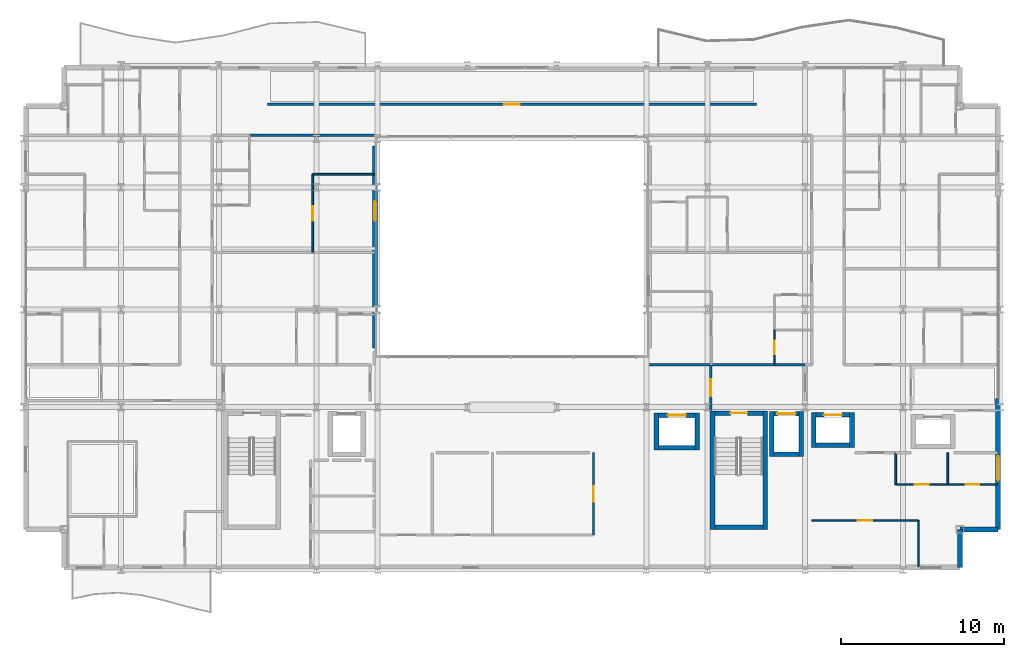
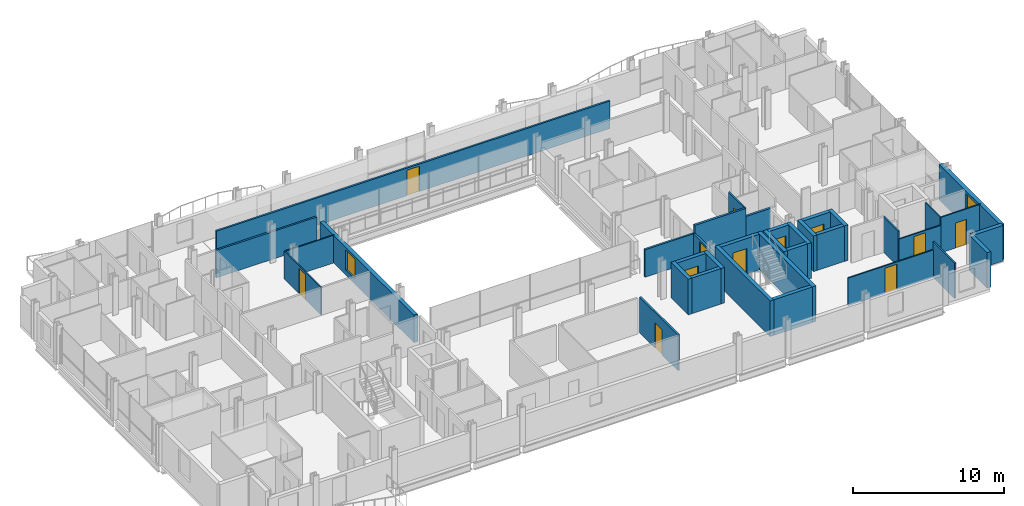
# One storey, part 34 of 41: 36 walls, 12 doors, 2 windows, 14 openings.
"""IFC4 building model written with IfcOpenShell, lengths in metres."""

from ifc_helpers import new_model, si_unit, direction, frame, frame_2d, origin, place, context, subcontext, project, spatial, rectangle, extrude, material, layer, layer_set, type_object, element, fill, save


model = new_model("IFC4")

# Units and contexts
model_context = context("Model", 3, precision=1e-05, world=origin(), true_north=direction((0.0, 1.0)))
body_context = subcontext(model_context, "Body", "Model", "MODEL_VIEW")
ifc_project = project(units=[si_unit("LENGTHUNIT", "METRE"), si_unit("AREAUNIT", "SQUARE_METRE"), si_unit("VOLUMEUNIT", "CUBIC_METRE"), si_unit("PLANEANGLEUNIT", "RADIAN"), si_unit("MASSUNIT", "GRAM", prefix="KILO")], contexts=[model_context])

# Site, building, storey
site_placement = place(None, origin())
site = spatial("IfcSite", under=ifc_project, at=site_placement, CompositionType="ELEMENT")
building_placement = place(site_placement, origin())
building = spatial("IfcBuilding", under=site, at=building_placement, Name="Brevholm Reach", CompositionType="ELEMENT")
storey_placement = place(building_placement, frame((0.0, 0.0, 55.89990234375)))
storey = spatial("IfcBuildingStorey", under=building, at=storey_placement, Name="L15", CompositionType="ELEMENT", Elevation=55.89990234375)

# Walls
ifc_material_1 = material(Name="Concrete C50/60", Category="concrete")
ifc_layer_1 = layer(ifc_material_1, 0.280029296875)
ifc_layer_set_1 = layer_set([ifc_layer_1], Name="Concrete C50/60")
wall_type_1 = type_object("IfcWallType", Name="WAL-COR-280", PredefinedType="SHEAR", material=ifc_layer_set_1)
for number, where, z_axis, x_axis, name in (
    (1, (42.31005859375, 2.5, 0.0), (0.0, 0.0, 1.0), (0.0, 1.0, 0.0), "L15 Escape Stair ST-2 Core Wall W"),
    (2, (45.5400390625, 2.5, 0.0), (0.0, 0.0, 1.0), (0.0, 1.0, 0.0), "L15 Escape Stair ST-2 Core Wall E"),
):
    element("IfcWall", number, at=place(storey_placement, frame(where, z_axis=z_axis, x_axis=x_axis)), inside=storey, type_object=wall_type_1, Name=name, PredefinedType="SHEAR", context=body_context, shape_type="SweptSolid", body=[
        extrude(rectangle(XDim=7.280029296875, YDim=0.280029296875, at=frame_2d((3.64013671875, 0.0))), origin(), (0.0, 0.0, 1.0), 2.8701171875),
    ])
wall_1_placement = place(storey_placement, frame((42.449951171875, 2.639892578125, 0.0), z_axis=(0.0, 0.0, 1.0), x_axis=(1.0, 0.0, 0.0)))
element("IfcWall", 3, at=wall_1_placement, inside=storey, type_object=wall_type_1, Name="L15 Escape Stair ST-2 Core Wall S", PredefinedType="SHEAR", context=body_context, shape_type="SweptSolid", body=[
    extrude(rectangle(XDim=2.949951171875, YDim=0.280029296875, at=frame_2d((1.47509765625, 0.0))), origin(), (0.0, 0.0, 1.0), 2.8701171875),
])

# Wall, opening, door
wall_2_placement = place(storey_placement, frame((45.39990234375, 9.639892578125, 0.0), z_axis=(0.0, 0.0, 1.0), x_axis=(-1.0, 0.0, 0.0)))
wall_2 = element("IfcWall", 4, at=wall_2_placement, inside=storey, type_object=wall_type_1, Name="L15 Escape Stair ST-2 Core Wall N", PredefinedType="SHEAR", context=body_context, shape_type="SweptSolid", body=[
    extrude(rectangle(XDim=2.949951171875, YDim=0.280029296875, at=frame_2d((1.47509765625, 0.0))), origin(), (0.0, 0.0, 1.0), 2.8701171875),
])
opening_1_placement = place(wall_2_placement, frame((0.949951171875, 0.0, 0.0)))
opening_1 = element("IfcOpeningElement", 5, at=opening_1_placement, cuts=wall_2, Name="Opening SD-ST-2", PredefinedType="OPENING", context=body_context, shape_type="SweptSolid", body=[
    extrude(rectangle(XDim=1.050048828125, YDim=2.06005859375, at=frame_2d((0.52490234375, 1.030029296875))), frame((0.0, 0.14990234375, 0.0), z_axis=(0.0, -1.0, 0.0), x_axis=(1.0, 0.0, 0.0)), (0.0, 0.0, 1.0), 0.300048828125),
])
ifc_material_2 = material(Name="Hardwood-Lipped Steel-Core Fire and Smoke Door", Category="steel")
door_type_1 = type_object("IfcDoorType", Name="DOR-INT-FD60S", OperationType="NOTDEFINED", PredefinedType="DOOR", material=ifc_material_2)
door_1_placement = place(opening_1_placement, origin())
door_1 = element("IfcDoor", 6, at=door_1_placement, inside=storey, type_object=door_type_1, Name="L15 Protected Stair ST-2 Lobby Door", OperationType="SINGLE_SWING_RIGHT", OverallHeight=2.06005859375, OverallWidth=1.050048828125, PredefinedType="DOOR", context=body_context, shape_type="SweptSolid", body=[
    extrude(rectangle(XDim=1.050048828125, YDim=2.06005859375, at=frame_2d((0.52490234375, 1.030029296875))), frame((0.0, 0.02490234375, 0.0), z_axis=(0.0, -1.0, 0.0), x_axis=(1.0, 0.0, 0.0)), (0.0, 0.0, 1.0), 0.050048828125),
])
fill(opening_1, door_1)

# Walls
for number, where, z_axis, x_axis, name in (
    (7, (45.949951171875, 6.9599609375, 0.0), (0.0, 0.0, 1.0), (0.0, 1.0, 0.0), "L15 Lift FFL-2 Shaft Wall W"),
    (8, (47.75, 6.9599609375, 0.0), (0.0, 0.0, 1.0), (0.0, 1.0, 0.0), "L15 Lift FFL-2 Shaft Wall E"),
):
    element("IfcWall", number, at=place(storey_placement, frame(where, z_axis=z_axis, x_axis=x_axis)), inside=storey, type_object=wall_type_1, Name=name, PredefinedType="SHEAR", context=body_context, shape_type="SweptSolid", body=[
        extrude(rectangle(XDim=2.780029296875, YDim=0.280029296875, at=frame_2d((1.39013671875, 0.0))), origin(), (0.0, 0.0, 1.0), 2.8701171875),
    ])
wall_3_placement = place(storey_placement, frame((46.090087890625, 7.10009765625, 0.0), z_axis=(0.0, 0.0, 1.0), x_axis=(1.0, 0.0, 0.0)))
element("IfcWall", 9, at=wall_3_placement, inside=storey, type_object=wall_type_1, Name="L15 Lift FFL-2 Shaft Wall S", PredefinedType="SHEAR", context=body_context, shape_type="SweptSolid", body=[
    extrude(rectangle(XDim=1.52001953125, YDim=0.280029296875, at=frame_2d((0.760009765625, 0.0))), origin(), (0.0, 0.0, 1.0), 2.8701171875),
])

# Wall, opening, door
wall_4_placement = place(storey_placement, frame((46.090087890625, 9.60009765625, 0.0), z_axis=(0.0, 0.0, 1.0), x_axis=(1.0, 0.0, 0.0)))
wall_4 = element("IfcWall", 10, at=wall_4_placement, inside=storey, type_object=wall_type_1, Name="L15 Lift FFL-2 Shaft Wall N", PredefinedType="SHEAR", context=body_context, shape_type="SweptSolid", body=[
    extrude(rectangle(XDim=1.52001953125, YDim=0.280029296875, at=frame_2d((0.760009765625, 0.0))), origin(), (0.0, 0.0, 1.0), 2.8701171875),
])
opening_2_placement = place(wall_4_placement, frame((0.2099609375, 0.0, 0.0)))
opening_2 = element("IfcOpeningElement", 11, at=opening_2_placement, cuts=wall_4, Name="Opening LD-FFL-2", PredefinedType="OPENING", context=body_context, shape_type="SweptSolid", body=[
    extrude(rectangle(XDim=1.10009765625, YDim=2.06005859375, at=frame_2d((0.550048828125, 1.030029296875))), frame((0.0, 0.14990234375, 0.0), z_axis=(0.0, -1.0, 0.0), x_axis=(1.0, 0.0, 0.0)), (0.0, 0.0, 1.0), 0.300048828125),
])
ifc_material_3 = material(Name="Brushed Stainless Steel Fire-Rated Sliding Lift Door", Category="steel")
door_type_2 = type_object("IfcDoorType", Name="DOR-LFT-1100", OperationType="NOTDEFINED", PredefinedType="DOOR", material=ifc_material_3)
door_2_placement = place(opening_2_placement, origin())
door_2 = element("IfcDoor", 12, at=door_2_placement, inside=storey, type_object=door_type_2, Name="L15 Lift FFL-2 Sliding Landing Door", OperationType="SLIDING_TO_RIGHT", OverallHeight=2.06005859375, OverallWidth=1.10009765625, PredefinedType="DOOR", context=body_context, shape_type="SweptSolid", body=[
    extrude(rectangle(XDim=1.10009765625, YDim=2.06005859375, at=frame_2d((0.550048828125, 1.030029296875))), frame((0.0, 0.02490234375, 0.0), z_axis=(0.0, -1.0, 0.0), x_axis=(1.0, 0.0, 0.0)), (0.0, 0.0, 1.0), 0.050048828125),
])
fill(opening_2, door_2)

# Walls
for number, where, z_axis, x_axis, name in (
    (13, (48.52490234375, 7.534912109375, 0.0), (0.0, 0.0, 1.0), (0.0, 1.0, 0.0), "L15 Lift PL-L1 Shaft Wall W"),
    (14, (50.875, 7.534912109375, 0.0), (0.0, 0.0, 1.0), (0.0, 1.0, 0.0), "L15 Lift PL-L1 Shaft Wall E"),
):
    element("IfcWall", number, at=place(storey_placement, frame(where, z_axis=z_axis, x_axis=x_axis)), inside=storey, type_object=wall_type_1, Name=name, PredefinedType="SHEAR", context=body_context, shape_type="SweptSolid", body=[
        extrude(rectangle(XDim=2.130126953125, YDim=0.280029296875, at=frame_2d((1.06494140625, 0.0))), origin(), (0.0, 0.0, 1.0), 2.8701171875),
    ])
wall_5_placement = place(storey_placement, frame((48.6650390625, 7.675048828125, 0.0), z_axis=(0.0, 0.0, 1.0), x_axis=(1.0, 0.0, 0.0)))
element("IfcWall", 15, at=wall_5_placement, inside=storey, type_object=wall_type_1, Name="L15 Lift PL-L1 Shaft Wall S", PredefinedType="SHEAR", context=body_context, shape_type="SweptSolid", body=[
    extrude(rectangle(XDim=2.070068359375, YDim=0.280029296875, at=frame_2d((1.03515625, 0.0))), origin(), (0.0, 0.0, 1.0), 2.8701171875),
])

# Wall, opening, door
wall_6_placement = place(storey_placement, frame((48.6650390625, 9.52490234375, 0.0), z_axis=(0.0, 0.0, 1.0), x_axis=(1.0, 0.0, 0.0)))
wall_6 = element("IfcWall", 16, at=wall_6_placement, inside=storey, type_object=wall_type_1, Name="L15 Lift PL-L1 Shaft Wall N", PredefinedType="SHEAR", context=body_context, shape_type="SweptSolid", body=[
    extrude(rectangle(XDim=2.070068359375, YDim=0.280029296875, at=frame_2d((1.03515625, 0.0))), origin(), (0.0, 0.0, 1.0), 2.8701171875),
])
opening_3_placement = place(wall_6_placement, frame((0.485107421875, 0.0, 0.0)))
opening_3 = element("IfcOpeningElement", 17, at=opening_3_placement, cuts=wall_6, Name="Opening LD-PL-L1", PredefinedType="OPENING", context=body_context, shape_type="SweptSolid", body=[
    extrude(rectangle(XDim=1.10009765625, YDim=2.06005859375, at=frame_2d((0.550048828125, 1.030029296875))), frame((0.0, 0.14990234375, 0.0), z_axis=(0.0, -1.0, 0.0), x_axis=(1.0, 0.0, 0.0)), (0.0, 0.0, 1.0), 0.300048828125),
])
door_3_placement = place(opening_3_placement, origin())
door_3 = element("IfcDoor", 18, at=door_3_placement, inside=storey, type_object=door_type_2, Name="L15 Lift PL-L1 Sliding Landing Door", OperationType="SLIDING_TO_LEFT", OverallHeight=2.06005859375, OverallWidth=1.10009765625, PredefinedType="DOOR", context=body_context, shape_type="SweptSolid", body=[
    extrude(rectangle(XDim=1.10009765625, YDim=2.06005859375, at=frame_2d((0.550048828125, 1.030029296875))), frame((0.0, 0.02490234375, 0.0), z_axis=(0.0, -1.0, 0.0), x_axis=(1.0, 0.0, 0.0)), (0.0, 0.0, 1.0), 0.050048828125),
])
fill(opening_3, door_3)

# Walls
for number, where, z_axis, x_axis, name in (
    (19, (38.8701171875, 7.360107421875, 0.0), (0.0, 0.0, 1.0), (0.0, 1.0, 0.0), "L15 Lift PL-S1 Shaft Wall W"),
    (20, (41.3701171875, 7.360107421875, 0.0), (0.0, 0.0, 1.0), (0.0, 1.0, 0.0), "L15 Lift PL-S1 Shaft Wall E"),
):
    element("IfcWall", number, at=place(storey_placement, frame(where, z_axis=z_axis, x_axis=x_axis)), inside=storey, type_object=wall_type_1, Name=name, PredefinedType="SHEAR", context=body_context, shape_type="SweptSolid", body=[
        extrude(rectangle(XDim=2.27978515625, YDim=0.280029296875, at=frame_2d((1.139892578125, 0.0))), origin(), (0.0, 0.0, 1.0), 2.8701171875),
    ])
wall_7_placement = place(storey_placement, frame((39.010009765625, 7.5, 0.0), z_axis=(0.0, 0.0, 1.0), x_axis=(1.0, 0.0, 0.0)))
element("IfcWall", 21, at=wall_7_placement, inside=storey, type_object=wall_type_1, Name="L15 Lift PL-S1 Shaft Wall S", PredefinedType="SHEAR", context=body_context, shape_type="SweptSolid", body=[
    extrude(rectangle(XDim=2.219970703125, YDim=0.280029296875, at=frame_2d((1.10986328125, 0.0))), origin(), (0.0, 0.0, 1.0), 2.8701171875),
])

# Wall, opening, door
wall_8_placement = place(storey_placement, frame((39.010009765625, 9.5, 0.0), z_axis=(0.0, 0.0, 1.0), x_axis=(1.0, 0.0, 0.0)))
wall_8 = element("IfcWall", 22, at=wall_8_placement, inside=storey, type_object=wall_type_1, Name="L15 Lift PL-S1 Shaft Wall N", PredefinedType="SHEAR", context=body_context, shape_type="SweptSolid", body=[
    extrude(rectangle(XDim=2.219970703125, YDim=0.280029296875, at=frame_2d((1.10986328125, 0.0))), origin(), (0.0, 0.0, 1.0), 2.8701171875),
])
opening_4_placement = place(wall_8_placement, frame((0.56005859375, 0.0, 0.0)))
opening_4 = element("IfcOpeningElement", 23, at=opening_4_placement, cuts=wall_8, Name="Opening LD-PL-S1", PredefinedType="OPENING", context=body_context, shape_type="SweptSolid", body=[
    extrude(rectangle(XDim=1.10009765625, YDim=2.06005859375, at=frame_2d((0.550048828125, 1.030029296875))), frame((0.0, 0.14990234375, 0.0), z_axis=(0.0, -1.0, 0.0), x_axis=(1.0, 0.0, 0.0)), (0.0, 0.0, 1.0), 0.300048828125),
])
door_4_placement = place(opening_4_placement, origin())
door_4 = element("IfcDoor", 24, at=door_4_placement, inside=storey, type_object=door_type_2, Name="L15 Lift PL-S1 Sliding Landing Door", OperationType="SLIDING_TO_LEFT", OverallHeight=2.06005859375, OverallWidth=1.10009765625, PredefinedType="DOOR", context=body_context, shape_type="SweptSolid", body=[
    extrude(rectangle(XDim=1.10009765625, YDim=2.06005859375, at=frame_2d((0.550048828125, 1.030029296875))), frame((0.0, 0.02490234375, 0.0), z_axis=(0.0, -1.0, 0.0), x_axis=(1.0, 0.0, 0.0)), (0.0, 0.0, 1.0), 0.050048828125),
])
fill(opening_4, door_4)

# Walls
ifc_material_4 = material(Name="Concrete C40/50", Category="concrete")
ifc_layer_2 = layer(ifc_material_4, 0.300048828125)
ifc_layer_set_2 = layer_set([ifc_layer_2], Name="Concrete C40/50")
wall_type_2 = type_object("IfcWallType", Name="WAL-EXT-300", PredefinedType="STANDARD", material=ifc_layer_set_2)
for number, where, z_axis, x_axis, name in (
    (25, (57.5, 0.14990234375, 0.0), (0.0, 0.0, 1.0), (0.0, 1.0, 0.0), "L15 Facade Wall WAL-L15-CSE1"),
    (26, (57.5, 2.5, 0.0), (0.0, 0.0, 1.0), (1.0, 0.0, 0.0), "L15 Facade Wall WAL-L15-CSE2"),
):
    element("IfcWall", number, at=place(storey_placement, frame(where, z_axis=z_axis, x_axis=x_axis)), inside=storey, type_object=wall_type_2, Name=name, PredefinedType="STANDARD", context=body_context, shape_type="SweptSolid", body=[
        extrude(rectangle(XDim=2.35009765625, YDim=0.300048828125, at=frame_2d((1.175048828125, 0.0))), origin(), (0.0, 0.0, 1.0), 2.8701171875),
    ])

# Wall, opening, window
wall_9_placement = place(storey_placement, frame((59.85009765625, 2.5, 0.0), z_axis=(0.0, 0.0, 1.0), x_axis=(0.0, 1.0, 0.0)))
wall_9 = element("IfcWall", 27, at=wall_9_placement, inside=storey, type_object=wall_type_2, Name="L15 Facade Wall WAL-L15-E-S", PredefinedType="STANDARD", context=body_context, shape_type="SweptSolid", body=[
    extrude(rectangle(XDim=8.050048828125, YDim=0.300048828125, at=frame_2d((4.02490234375, 0.0))), origin(), (0.0, 0.0, 1.0), 2.8701171875),
])
opening_5_placement = place(wall_9_placement, frame((3.0, 0.0, 0.85009765625)))
opening_5 = element("IfcOpeningElement", 28, at=opening_5_placement, cuts=wall_9, Name="Opening WN-05", PredefinedType="OPENING", context=body_context, shape_type="SweptSolid", body=[
    extrude(rectangle(XDim=1.5, YDim=1.800048828125, at=frame_2d((0.75, 0.89990234375))), frame((0.0, 0.159912109375, 0.0), z_axis=(0.0, -1.0, 0.0), x_axis=(1.0, 0.0, 0.0)), (0.0, 0.0, 1.0), 0.320068359375),
])
ifc_material_5 = material(Name="Dark Anodised Aluminium and Solar-Control IGU Glass", Category="aluminium")
window_type_1 = type_object("IfcWindowType", Name="WIN-RES-1500", PartitioningType="SINGLE_PANEL", PredefinedType="WINDOW", material=ifc_material_5)
window_1_placement = place(opening_5_placement, origin())
window_1 = element("IfcWindow", 29, at=window_1_placement, inside=storey, type_object=window_type_1, Name="L15 Window WIN-L15-ES-1", OverallHeight=1.800048828125, OverallWidth=1.5, PartitioningType="SINGLE_PANEL", PredefinedType="WINDOW", context=body_context, shape_type="SweptSolid", body=[
    extrude(rectangle(XDim=1.5, YDim=1.800048828125, at=frame_2d((0.75, 0.89990234375))), frame((0.0, 0.030029296875, 0.0), z_axis=(0.0, -1.0, 0.0), x_axis=(1.0, 0.0, 0.0)), (0.0, 0.0, 1.0), 0.06005859375),
])
fill(opening_5, window_1)

wall_10_placement = place(storey_placement, frame((21.60009765625, 26.050048828125, 0.0), z_axis=(0.0, 0.0, 1.0), x_axis=(0.0, -1.0, 0.0)))
wall_10 = element("IfcWall", 30, at=wall_10_placement, inside=storey, type_object=wall_type_2, Name="L15 Facade Wall WAL-L15-AT-W", PredefinedType="STANDARD", context=body_context, shape_type="SweptSolid", body=[
    extrude(rectangle(XDim=12.400146484375, YDim=0.300048828125, at=frame_2d((6.2001953125, 0.0))), origin(), (0.0, 0.0, 1.0), 2.224853515625),
])
opening_6_placement = place(wall_10_placement, frame((3.39990234375, 0.0, 0.405029296875)))
opening_6 = element("IfcOpeningElement", 31, at=opening_6_placement, cuts=wall_10, Name="Opening WN-08", PredefinedType="OPENING", context=body_context, shape_type="SweptSolid", body=[
    extrude(rectangle(XDim=1.199951171875, YDim=1.60009765625, at=frame_2d((0.60009765625, 0.800048828125))), frame((0.0, 0.159912109375, 0.0), z_axis=(0.0, -1.0, 0.0), x_axis=(1.0, 0.0, 0.0)), (0.0, 0.0, 1.0), 0.320068359375),
])
ifc_material_6 = material(Name="Dark Anodised Aluminium and Solar-Control IGU Glass", Category="aluminium")
window_type_2 = type_object("IfcWindowType", Name="WIN-RES-1200", PartitioningType="SINGLE_PANEL", PredefinedType="WINDOW", material=ifc_material_6)
window_2_placement = place(opening_6_placement, origin())
window_2 = element("IfcWindow", 32, at=window_2_placement, inside=storey, type_object=window_type_2, Name="L15 Window WIN-L15-AT-W1", OverallHeight=1.60009765625, OverallWidth=1.199951171875, PartitioningType="SINGLE_PANEL", PredefinedType="WINDOW", context=body_context, shape_type="SweptSolid", body=[
    extrude(rectangle(XDim=1.199951171875, YDim=1.60009765625, at=frame_2d((0.60009765625, 0.800048828125))), frame((0.0, 0.030029296875, 0.0), z_axis=(0.0, -1.0, 0.0), x_axis=(1.0, 0.0, 0.0)), (0.0, 0.0, 1.0), 0.06005859375),
])
fill(opening_6, window_2)

# Wall
ifc_material_7 = material(Name="Moisture-Resistant Acoustic Gypsum Stud Partition 100 mm", Category="gypsum")
ifc_layer_3 = layer(ifc_material_7, 0.10009765625)
ifc_layer_set_3 = layer_set([ifc_layer_3], Name="Moisture-Resistant Acoustic Gypsum Stud Partition 100 mm")
wall_type_3 = type_object("IfcWallType", Name="WAL-PRT-100", PredefinedType="PARTITIONING", material=ifc_layer_set_3)
wall_11_placement = place(storey_placement, frame((56.75, 5.25, 0.0), z_axis=(0.0, 0.0, 1.0), x_axis=(0.0, 1.0, 0.0)))
element("IfcWall", 33, at=wall_11_placement, inside=storey, type_object=wall_type_3, Name="L15 Internal Partition 073", PredefinedType="PARTITIONING", context=body_context, shape_type="SweptSolid", body=[
    extrude(rectangle(XDim=1.949951171875, YDim=0.10009765625, at=frame_2d((0.97509765625, 0.0))), origin(), (0.0, 0.0, 1.0), 2.8701171875),
])

# Wall, opening, door
wall_12_placement = place(storey_placement, frame((56.75, 5.25, 0.0), z_axis=(0.0, 0.0, 1.0), x_axis=(1.0, 0.0, 0.0)))
wall_12 = element("IfcWall", 34, at=wall_12_placement, inside=storey, type_object=wall_type_3, Name="L15 Internal Partition 074", PredefinedType="PARTITIONING", context=body_context, shape_type="SweptSolid", body=[
    extrude(rectangle(XDim=3.050048828125, YDim=0.10009765625, at=frame_2d((1.52490234375, 0.0))), origin(), (0.0, 0.0, 1.0), 2.8701171875),
])
opening_7_placement = place(wall_12_placement, frame((1.114990234375, 0.0, 0.0)))
opening_7 = element("IfcOpeningElement", 35, at=opening_7_placement, cuts=wall_12, Name="Opening ID-03", PredefinedType="OPENING", context=body_context, shape_type="SweptSolid", body=[
    extrude(rectangle(XDim=0.820068359375, YDim=2.02001953125, at=frame_2d((0.41015625, 1.010009765625))), frame((0.0, 0.06005859375, 0.0), z_axis=(0.0, -1.0, 0.0), x_axis=(1.0, 0.0, 0.0)), (0.0, 0.0, 1.0), 0.1201171875),
])
ifc_material_8 = material(Name="Moisture-Resistant Painted Timber Internal Bathroom Door", Category="wood")
door_type_3 = type_object("IfcDoorType", Name="DOR-BATH-820", OperationType="NOTDEFINED", PredefinedType="DOOR", material=ifc_material_8)
door_5_placement = place(opening_7_placement, origin())
door_5 = element("IfcDoor", 36, at=door_5_placement, inside=storey, type_object=door_type_3, Name="L15 Internal Door 030", OperationType="SINGLE_SWING_LEFT", OverallHeight=2.02001953125, OverallWidth=0.820068359375, PredefinedType="DOOR", context=body_context, shape_type="SweptSolid", body=[
    extrude(rectangle(XDim=0.820068359375, YDim=2.02001953125, at=frame_2d((0.41015625, 1.010009765625))), frame((0.0, 0.02490234375, 0.0), z_axis=(0.0, -1.0, 0.0), x_axis=(1.0, 0.0, 0.0)), (0.0, 0.0, 1.0), 0.050048828125),
])
fill(opening_7, door_5)

wall_13_placement = place(storey_placement, frame((53.55810546875, 5.25, 0.0), z_axis=(0.0, 0.0, 1.0), x_axis=(1.0, 0.0, 0.0)))
wall_13 = element("IfcWall", 37, at=wall_13_placement, inside=storey, type_object=wall_type_3, Name="L15 Internal Partition 075", PredefinedType="PARTITIONING", context=body_context, shape_type="SweptSolid", body=[
    extrude(rectangle(XDim=3.18798828125, YDim=0.10009765625, at=frame_2d((1.593994140625, 0.0))), origin(), (0.0, 0.0, 1.0), 2.224853515625),
])
opening_8_placement = place(wall_13_placement, frame((1.154052734375, 0.0, 0.0)))
opening_8 = element("IfcOpeningElement", 38, at=opening_8_placement, cuts=wall_13, Name="Opening ID-01", PredefinedType="OPENING", context=body_context, shape_type="SweptSolid", body=[
    extrude(rectangle(XDim=0.8798828125, YDim=2.0400390625, at=frame_2d((0.43994140625, 1.02001953125))), frame((0.0, 0.06005859375, 0.0), z_axis=(0.0, -1.0, 0.0), x_axis=(1.0, 0.0, 0.0)), (0.0, 0.0, 1.0), 0.1201171875),
])
ifc_material_9 = material(Name="Lacquered Ash Solid-Core Acoustic Internal Door", Category="timber")
door_type_4 = type_object("IfcDoorType", Name="DOR-INT-880", OperationType="NOTDEFINED", PredefinedType="DOOR", material=ifc_material_9)
door_6_placement = place(opening_8_placement, origin())
door_6 = element("IfcDoor", 39, at=door_6_placement, inside=storey, type_object=door_type_4, Name="L15 Internal Door 031", OperationType="SINGLE_SWING_RIGHT", OverallHeight=2.0400390625, OverallWidth=0.8798828125, PredefinedType="DOOR", context=body_context, shape_type="SweptSolid", body=[
    extrude(rectangle(XDim=0.8798828125, YDim=2.0400390625, at=frame_2d((0.43994140625, 1.02001953125))), frame((0.0, 0.02490234375, 0.0), z_axis=(0.0, -1.0, 0.0), x_axis=(1.0, 0.0, 0.0)), (0.0, 0.0, 1.0), 0.050048828125),
])
fill(opening_8, door_6)

# Walls
wall_14_placement = place(storey_placement, frame((53.55810546875, 5.25, 0.0), z_axis=(0.0, 0.0, 1.0), x_axis=(0.0, 1.0, 0.0)))
element("IfcWall", 40, at=wall_14_placement, inside=storey, type_object=wall_type_3, Name="L15 Internal Partition 076", PredefinedType="PARTITIONING", context=body_context, shape_type="SweptSolid", body=[
    extrude(rectangle(XDim=1.946044921875, YDim=0.10009765625, at=frame_2d((0.97314453125, 0.0))), origin(), (0.0, 0.0, 1.0), 2.8701171875),
])
wall_15_placement = place(storey_placement, frame((54.949951171875, 0.199951171875, 0.0), z_axis=(0.0, 0.0, 1.0), x_axis=(0.0, 1.0, 0.0)))
element("IfcWall", 41, at=wall_15_placement, inside=storey, type_object=wall_type_3, Name="L15 Internal Partition 077", PredefinedType="PARTITIONING", context=body_context, shape_type="SweptSolid", body=[
    extrude(rectangle(XDim=2.85009765625, YDim=0.10009765625, at=frame_2d((1.425048828125, 0.0))), origin(), (0.0, 0.0, 1.0), 2.8701171875),
])

# Wall, opening, door
wall_16_placement = place(storey_placement, frame((48.39990234375, 3.050048828125, 0.0), z_axis=(0.0, 0.0, 1.0), x_axis=(1.0, 0.0, 0.0)))
wall_16 = element("IfcWall", 42, at=wall_16_placement, inside=storey, type_object=wall_type_3, Name="L15 Internal Partition 078", PredefinedType="PARTITIONING", context=body_context, shape_type="SweptSolid", body=[
    extrude(rectangle(XDim=6.550048828125, YDim=0.10009765625, at=frame_2d((3.27490234375, 0.0))), origin(), (0.0, 0.0, 1.0), 2.224853515625),
])
opening_9_placement = place(wall_16_placement, frame((2.8349609375, 0.0, 0.0)))
opening_9 = element("IfcOpeningElement", 43, at=opening_9_placement, cuts=wall_16, Name="Opening ID-01", PredefinedType="OPENING", context=body_context, shape_type="SweptSolid", body=[
    extrude(rectangle(XDim=0.8798828125, YDim=2.0400390625, at=frame_2d((0.43994140625, 1.02001953125))), frame((0.0, 0.06005859375, 0.0), z_axis=(0.0, -1.0, 0.0), x_axis=(1.0, 0.0, 0.0)), (0.0, 0.0, 1.0), 0.1201171875),
])
door_7_placement = place(opening_9_placement, origin())
door_7 = element("IfcDoor", 44, at=door_7_placement, inside=storey, type_object=door_type_4, Name="L15 Internal Door 032", OperationType="SINGLE_SWING_LEFT", OverallHeight=2.0400390625, OverallWidth=0.8798828125, PredefinedType="DOOR", context=body_context, shape_type="SweptSolid", body=[
    extrude(rectangle(XDim=0.8798828125, YDim=2.0400390625, at=frame_2d((0.43994140625, 1.02001953125))), frame((0.0, 0.02490234375, 0.0), z_axis=(0.0, -1.0, 0.0), x_axis=(1.0, 0.0, 0.0)), (0.0, 0.0, 1.0), 0.050048828125),
])
fill(opening_9, door_7)

# Wall
wall_17_placement = place(storey_placement, frame((17.76904296875, 24.300048828125, 0.0), z_axis=(0.0, 0.0, 1.0), x_axis=(1.0, 0.0, 0.0)))
element("IfcWall", 45, at=wall_17_placement, inside=storey, type_object=wall_type_3, Name="L15 Internal Partition 108", PredefinedType="PARTITIONING", context=body_context, shape_type="SweptSolid", body=[
    extrude(rectangle(XDim=3.781005859375, YDim=0.10009765625, at=frame_2d((1.890625, 0.0))), origin(), (0.0, 0.0, 1.0), 2.224853515625),
])

# Wall, opening, door
wall_18_placement = place(storey_placement, frame((17.76904296875, 19.50390625, 0.0), z_axis=(0.0, 0.0, 1.0), x_axis=(0.0, 1.0, 0.0)))
wall_18 = element("IfcWall", 46, at=wall_18_placement, inside=storey, type_object=wall_type_3, Name="L15 Internal Partition 109", PredefinedType="PARTITIONING", context=body_context, shape_type="SweptSolid", body=[
    extrude(rectangle(XDim=4.796142578125, YDim=0.10009765625, at=frame_2d((2.39794921875, 0.0))), origin(), (0.0, 0.0, 1.0), 2.224853515625),
])
opening_10_placement = place(wall_18_placement, frame((1.9580078125, 0.0, 0.0)))
opening_10 = element("IfcOpeningElement", 47, at=opening_10_placement, cuts=wall_18, Name="Opening ID-01", PredefinedType="OPENING", context=body_context, shape_type="SweptSolid", body=[
    extrude(rectangle(XDim=0.8798828125, YDim=2.0400390625, at=frame_2d((0.43994140625, 1.02001953125))), frame((0.0, 0.06005859375, 0.0), z_axis=(0.0, -1.0, 0.0), x_axis=(1.0, 0.0, 0.0)), (0.0, 0.0, 1.0), 0.1201171875),
])
door_8_placement = place(opening_10_placement, origin())
door_8 = element("IfcDoor", 48, at=door_8_placement, inside=storey, type_object=door_type_4, Name="L15 Internal Door 042", OperationType="SINGLE_SWING_LEFT", OverallHeight=2.0400390625, OverallWidth=0.8798828125, PredefinedType="DOOR", context=body_context, shape_type="SweptSolid", body=[
    extrude(rectangle(XDim=0.8798828125, YDim=2.0400390625, at=frame_2d((0.43994140625, 1.02001953125))), frame((0.0, 0.02490234375, 0.0), z_axis=(0.0, -1.0, 0.0), x_axis=(1.0, 0.0, 0.0)), (0.0, 0.0, 1.0), 0.050048828125),
])
fill(opening_10, door_8)

wall_19_placement = place(storey_placement, frame((46.112060546875, 12.60400390625, 0.0), z_axis=(0.0, 0.0, 1.0), x_axis=(0.0, 1.0, 0.0)))
wall_19 = element("IfcWall", 49, at=wall_19_placement, inside=storey, type_object=wall_type_3, Name="L15 Internal Partition 111", PredefinedType="PARTITIONING", context=body_context, shape_type="SweptSolid", body=[
    extrude(rectangle(XDim=2.14599609375, YDim=0.10009765625, at=frame_2d((1.072998046875, 0.0))), origin(), (0.0, 0.0, 1.0), 2.8701171875),
])
opening_11_placement = place(wall_19_placement, frame((0.6630859375, 0.0, 0.0)))
opening_11 = element("IfcOpeningElement", 50, at=opening_11_placement, cuts=wall_19, Name="Opening ID-03", PredefinedType="OPENING", context=body_context, shape_type="SweptSolid", body=[
    extrude(rectangle(XDim=0.820068359375, YDim=2.02001953125, at=frame_2d((0.41015625, 1.010009765625))), frame((0.0, 0.06005859375, 0.0), z_axis=(0.0, -1.0, 0.0), x_axis=(1.0, 0.0, 0.0)), (0.0, 0.0, 1.0), 0.1201171875),
])
door_9_placement = place(opening_11_placement, origin())
door_9 = element("IfcDoor", 51, at=door_9_placement, inside=storey, type_object=door_type_3, Name="L15 Internal Door 043", OperationType="SINGLE_SWING_RIGHT", OverallHeight=2.02001953125, OverallWidth=0.820068359375, PredefinedType="DOOR", context=body_context, shape_type="SweptSolid", body=[
    extrude(rectangle(XDim=0.820068359375, YDim=2.02001953125, at=frame_2d((0.41015625, 1.010009765625))), frame((0.0, 0.02490234375, 0.0), z_axis=(0.0, -1.0, 0.0), x_axis=(1.0, 0.0, 0.0)), (0.0, 0.0, 1.0), 0.050048828125),
])
fill(opening_11, door_9)

ifc_material_10 = material(Name="Twin-Stud Acoustic Fire-Rated Gypsum Partition 140 mm", Category="gypsum")
ifc_layer_4 = layer(ifc_material_10, 0.139892578125)
ifc_layer_set_4 = layer_set([ifc_layer_4], Name="Twin-Stud Acoustic Fire-Rated Gypsum Partition 140 mm")
wall_type_4 = type_object("IfcWallType", Name="WAL-PRT-140", PredefinedType="PARTITIONING", material=ifc_layer_set_4)
wall_20_placement = place(storey_placement, frame((35.0, 2.142578125, 0.0), z_axis=(0.0, 0.0, 1.0), x_axis=(0.0, 1.0, 0.0)))
wall_20 = element("IfcWall", 52, at=wall_20_placement, inside=storey, type_object=wall_type_4, Name="L15 Internal Partition 001", PredefinedType="PARTITIONING", context=body_context, shape_type="SweptSolid", body=[
    extrude(rectangle(XDim=5.068603515625, YDim=0.139892578125, at=frame_2d((2.5341796875, 0.0))), origin(), (0.0, 0.0, 1.0), 2.8701171875),
])
opening_12_placement = place(wall_20_placement, frame((2.059326171875, 0.0, 0.0)))
opening_12 = element("IfcOpeningElement", 53, at=opening_12_placement, cuts=wall_20, Name="Opening ID-30", PredefinedType="OPENING", context=body_context, shape_type="SweptSolid", body=[
    extrude(rectangle(XDim=0.949951171875, YDim=2.050048828125, at=frame_2d((0.47509765625, 1.02490234375))), frame((0.0, 0.079833984375, 0.0), z_axis=(0.0, -1.0, 0.0), x_axis=(1.0, 0.0, 0.0)), (0.0, 0.0, 1.0), 0.159912109375),
])
ifc_material_11 = material(Name="European Oak Veneered Solid-Core Fire Entrance Door", Category="timber")
door_type_5 = type_object("IfcDoorType", Name="DOR-FLT-FD30S", OperationType="NOTDEFINED", PredefinedType="DOOR", material=ifc_material_11)
door_10_placement = place(opening_12_placement, origin())
door_10 = element("IfcDoor", 54, at=door_10_placement, inside=storey, type_object=door_type_5, Name="L15 Internal Door 001", OperationType="SINGLE_SWING_RIGHT", OverallHeight=2.050048828125, OverallWidth=0.949951171875, PredefinedType="DOOR", context=body_context, shape_type="SweptSolid", body=[
    extrude(rectangle(XDim=0.949951171875, YDim=2.050048828125, at=frame_2d((0.47509765625, 1.02490234375))), frame((0.0, 0.02490234375, 0.0), z_axis=(0.0, -1.0, 0.0), x_axis=(1.0, 0.0, 0.0)), (0.0, 0.0, 1.0), 0.050048828125),
])
fill(opening_12, door_10)

# Walls
wall_21_placement = place(storey_placement, frame((38.438720703125, 12.60009765625, 0.0), z_axis=(0.0, 0.0, 1.0), x_axis=(1.0, 0.0, 0.0)))
element("IfcWall", 55, at=wall_21_placement, inside=storey, type_object=wall_type_4, Name="L15 Internal Partition 031", PredefinedType="PARTITIONING", context=body_context, shape_type="SweptSolid", body=[
    extrude(rectangle(XDim=3.75732421875, YDim=0.139892578125, at=frame_2d((1.878662109375, 0.0))), origin(), (0.0, 0.0, 1.0), 2.224853515625),
])
wall_22_placement = place(storey_placement, frame((13.881591796875, 26.699951171875, 0.0), z_axis=(0.0, 0.0, 1.0), x_axis=(1.0, 0.0, 0.0)))
element("IfcWall", 56, at=wall_22_placement, inside=storey, type_object=wall_type_4, Name="L15 Internal Partition 053", PredefinedType="PARTITIONING", context=body_context, shape_type="SweptSolid", body=[
    extrude(rectangle(XDim=7.6796875, YDim=0.139892578125, at=frame_2d((3.83984375, 0.0))), origin(), (0.0, 0.0, 1.0), 2.224853515625),
])

# Wall, opening, door
wall_23_placement = place(storey_placement, frame((14.98876953125, 28.60009765625, 0.0), z_axis=(0.0, 0.0, 1.0), x_axis=(1.0, 0.0, 0.0)))
wall_23 = element("IfcWall", 57, at=wall_23_placement, inside=storey, type_object=wall_type_4, Name="L15 Internal Partition 055", PredefinedType="PARTITIONING", context=body_context, shape_type="SweptSolid", body=[
    extrude(rectangle(XDim=30.0224609375, YDim=0.139892578125, at=frame_2d((15.01123046875, 0.0))), origin(), (0.0, 0.0, 1.0), 2.224853515625),
])
opening_13_placement = place(wall_23_placement, frame((14.536376953125, 0.0, 0.0)))
opening_13 = element("IfcOpeningElement", 58, at=opening_13_placement, cuts=wall_23, Name="Opening ID-30", PredefinedType="OPENING", context=body_context, shape_type="SweptSolid", body=[
    extrude(rectangle(XDim=0.949951171875, YDim=2.050048828125, at=frame_2d((0.47509765625, 1.02490234375))), frame((0.0, 0.079833984375, 0.0), z_axis=(0.0, -1.0, 0.0), x_axis=(1.0, 0.0, 0.0)), (0.0, 0.0, 1.0), 0.159912109375),
])
door_11_placement = place(opening_13_placement, origin())
door_11 = element("IfcDoor", 59, at=door_11_placement, inside=storey, type_object=door_type_5, Name="L15 Internal Door 026", OperationType="SINGLE_SWING_LEFT", OverallHeight=2.050048828125, OverallWidth=0.949951171875, PredefinedType="DOOR", context=body_context, shape_type="SweptSolid", body=[
    extrude(rectangle(XDim=0.949951171875, YDim=2.050048828125, at=frame_2d((0.47509765625, 1.02490234375))), frame((0.0, 0.02490234375, 0.0), z_axis=(0.0, -1.0, 0.0), x_axis=(1.0, 0.0, 0.0)), (0.0, 0.0, 1.0), 0.050048828125),
])
fill(opening_13, door_11)

ifc_material_12 = material(Name="Twin-Frame Fire-Rated Gypsum Board and Mineral Wool 160 mm", Category="gypsum")
ifc_layer_5 = layer(ifc_material_12, 0.159912109375)
ifc_layer_set_5 = layer_set([ifc_layer_5], Name="Twin-Frame Fire-Rated Gypsum Board and Mineral Wool 160 mm")
wall_type_5 = type_object("IfcWallType", Name="WAL-PRT-160", PredefinedType="PARTITIONING", material=ifc_layer_set_5)
wall_24_placement = place(storey_placement, frame((42.199951171875, 9.7900390625, 0.0), z_axis=(0.0, 0.0, 1.0), x_axis=(0.0, 1.0, 0.0)))
wall_24 = element("IfcWall", 60, at=wall_24_placement, inside=storey, type_object=wall_type_5, Name="L15 Internal Partition 023", PredefinedType="PARTITIONING", context=body_context, shape_type="SweptSolid", body=[
    extrude(rectangle(XDim=2.81005859375, YDim=0.159912109375, at=frame_2d((1.405029296875, 0.0))), origin(), (0.0, 0.0, 1.0), 2.224853515625),
])
opening_14_placement = place(wall_24_placement, frame((0.8798828125, 0.0, 0.0)))
opening_14 = element("IfcOpeningElement", 61, at=opening_14_placement, cuts=wall_24, Name="Opening FD-01", PredefinedType="OPENING", context=body_context, shape_type="SweptSolid", body=[
    extrude(rectangle(XDim=1.050048828125, YDim=2.06005859375, at=frame_2d((0.52490234375, 1.030029296875))), frame((0.0, 0.08984375, 0.0), z_axis=(0.0, -1.0, 0.0), x_axis=(1.0, 0.0, 0.0)), (0.0, 0.0, 1.0), 0.179931640625),
])
door_12_placement = place(opening_14_placement, origin())
door_12 = element("IfcDoor", 62, at=door_12_placement, inside=storey, type_object=door_type_1, Name="L15 Internal Door 013", OperationType="SINGLE_SWING_RIGHT", OverallHeight=2.06005859375, OverallWidth=1.050048828125, PredefinedType="DOOR", context=body_context, shape_type="SweptSolid", body=[
    extrude(rectangle(XDim=1.050048828125, YDim=2.06005859375, at=frame_2d((0.52490234375, 1.030029296875))), frame((0.0, 0.02490234375, 0.0), z_axis=(0.0, -1.0, 0.0), x_axis=(1.0, 0.0, 0.0)), (0.0, 0.0, 1.0), 0.050048828125),
])
fill(opening_14, door_12)

# Walls
wall_25_placement = place(storey_placement, frame((46.1005859375, 12.60009765625, 0.0), z_axis=(0.0, 0.0, 1.0), x_axis=(1.0, 0.0, 0.0)))
element("IfcWall", 63, at=wall_25_placement, inside=storey, type_object=wall_type_5, Name="L15 Internal Partition 025", PredefinedType="PARTITIONING", context=body_context, shape_type="SweptSolid", body=[
    extrude(rectangle(XDim=1.8994140625, YDim=0.159912109375, at=frame_2d((0.94970703125, 0.0))), origin(), (0.0, 0.0, 1.0), 2.224853515625),
])
wall_26_placement = place(storey_placement, frame((42.2236328125, 12.60009765625, 0.0), z_axis=(0.0, 0.0, 1.0), x_axis=(1.0, 0.0, 0.0)))
element("IfcWall", 64, at=wall_26_placement, inside=storey, type_object=wall_type_5, Name="L15 Internal Partition 026", PredefinedType="PARTITIONING", context=body_context, shape_type="SweptSolid", body=[
    extrude(rectangle(XDim=3.895751953125, YDim=0.159912109375, at=frame_2d((1.94775390625, 0.0))), origin(), (0.0, 0.0, 1.0), 2.8701171875),
])

save(model, "model.ifc")
